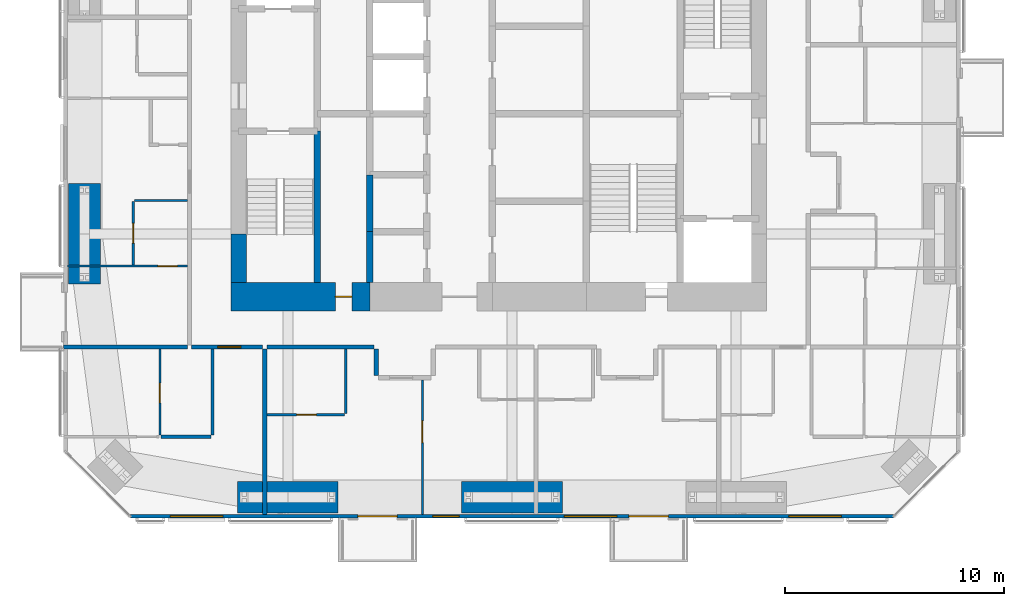
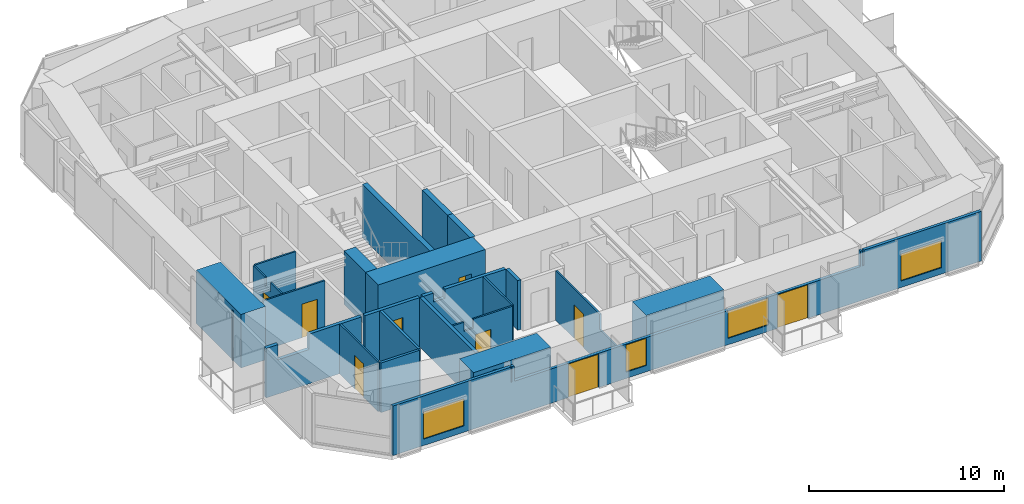
# One storey, part 15 of 23: 23 walls, 9 doors, 4 windows, 13 openings.
"""IFC4 building model written with IfcOpenShell, lengths in metres."""

import ifcopenshell
import ifcopenshell.guid

model = None  # the IFC model being written
_history = None  # IfcOwnerHistory: only IFC2X3 demands one
_inside = {}  # id of a spatial element -> (the spatial element, [elements in it])
_under = {}  # id of a project, library or spatial element -> (it, [spatial elements below it])
_declared = {}  # id of a project -> (the project, [libraries it declares])
_typed = {}  # id of a type object -> (the type object, [elements of that type])
_made_of = {}  # id of a material, layer set ... -> (it, [elements and type objects made of it])


def new_model(schema):
    """Start an empty IFC model of exactly this schema.

    Asked for "IFC4X3", IfcOpenShell would pick the latest addendum, in which some entities
    have other attributes; the version numbers below select the first issue.
    IFC2X3 requires an IfcOwnerHistory on every rooted entity: one is made here for all.
    """
    global model, _history
    if schema == "IFC4X3":
        model = ifcopenshell.file(schema_version=(4, 3, 0, 0))
    else:
        model = ifcopenshell.file(schema=schema)
    _inside.clear()
    _under.clear()
    _declared.clear()
    _typed.clear()
    _made_of.clear()
    _history = None
    if model.schema == "IFC2X3":
        org = make("IfcOrganization", Name="unknown")
        user = make(
            "IfcPersonAndOrganization",
            ThePerson=make("IfcPerson", FamilyName="unknown"),
            TheOrganization=org,
        )
        app = make(
            "IfcApplication",
            ApplicationDeveloper=org,
            Version="unknown",
            ApplicationFullName="unknown",
            ApplicationIdentifier="unknown",
        )
        _history = make(
            "IfcOwnerHistory",
            OwningUser=user,
            OwningApplication=app,
            ChangeAction="ADDED",
            CreationDate=0,
        )
    return model


def make(cls, **values):
    """One entity of the class cls with the attributes given. An attribute that is None is left unset."""
    return model.create_entity(
        cls, **{name: value for name, value in values.items() if value is not None}
    )


def rooted(cls, **values):
    """An entity with a GlobalId (a new one), such as an element, a storey or a relation."""
    return make(cls, GlobalId=ifcopenshell.guid.new(), OwnerHistory=_history, **values)


def si_unit(unit_type, name, prefix=None):
    """IfcSIUnit, for example si_unit("LENGTHUNIT", "METRE", prefix="MILLI")."""
    return make("IfcSIUnit", UnitType=unit_type, Prefix=prefix, Name=name)


def assignment(units):
    """IfcUnitAssignment: the units of a project."""
    return None if units is None else make("IfcUnitAssignment", Units=units)


def point(xyz):
    """IfcCartesianPoint."""
    return None if xyz is None else make("IfcCartesianPoint", Coordinates=xyz)


def direction(xyz):
    """IfcDirection."""
    return None if xyz is None else make("IfcDirection", DirectionRatios=xyz)


def frame(location, z_axis=None, x_axis=None):
    """IfcAxis2Placement3D, a coordinate frame: its origin and axes. An axis left out is left unset."""
    return make(
        "IfcAxis2Placement3D",
        Location=point(location),
        Axis=direction(z_axis),
        RefDirection=direction(x_axis),
    )


def frame_2d(location, x_axis=None):
    """IfcAxis2Placement2D, a coordinate frame in the plane: its origin and x axis."""
    return make(
        "IfcAxis2Placement2D", Location=point(location), RefDirection=direction(x_axis)
    )


def origin():
    """The frame at (0, 0, 0) with its axes left unset."""
    return frame((0.0, 0.0, 0.0))


def place(relative_to, where):
    """IfcLocalPlacement: puts the frame where relative to a parent placement (None: the world)."""
    return make(
        "IfcLocalPlacement", PlacementRelTo=relative_to, RelativePlacement=where
    )


def context(
    kind, dimensions, precision=None, world=None, true_north=None, identifier=None
):
    """IfcGeometricRepresentationContext, for example the 3D "Model" context."""
    return make(
        "IfcGeometricRepresentationContext",
        ContextIdentifier=identifier,
        ContextType=kind,
        CoordinateSpaceDimension=dimensions,
        Precision=precision,
        WorldCoordinateSystem=world,
        TrueNorth=true_north,
    )


def subcontext(parent, identifier, kind, view, scale=None):
    """IfcGeometricRepresentationSubContext, for example "Body" below "Model"."""
    return make(
        "IfcGeometricRepresentationSubContext",
        ContextIdentifier=identifier,
        ContextType=kind,
        ParentContext=parent,
        TargetScale=scale,
        TargetView=view,
    )


def project(units=None, contexts=None):
    """IfcProject with its units and contexts."""
    return rooted(
        "IfcProject",
        Name="project",
        RepresentationContexts=contexts,
        UnitsInContext=assignment(units),
    )


def spatial(cls, under=None, at=None, **own):
    """A site, building, storey or space (cls), placed at a placement, below another one or the project."""
    s = rooted(cls, ObjectPlacement=at, **own)
    if under is not None:
        _under.setdefault(under.id(), (under, []))[1].append(s)
    return s


def polyline(points):
    """IfcPolyline through the points."""
    return make("IfcPolyline", Points=[point(p) for p in points])


def profile(cls, at=None, kind="AREA", **sizes):
    """A parametric profile (cls). Its sizes go by their IFC names, for example OverallWidth=200.0."""
    return make(cls, ProfileType=kind, Position=at, **sizes)


def rectangle(**sizes):
    """IfcRectangleProfileDef."""
    return profile("IfcRectangleProfileDef", **sizes)


def outline(outer, holes=None, kind="AREA"):
    """IfcArbitraryClosedProfileDef: a profile drawn as a closed curve; with holes, ...WithVoids."""
    if holes is None:
        return make("IfcArbitraryClosedProfileDef", ProfileType=kind, OuterCurve=outer)
    return make(
        "IfcArbitraryProfileDefWithVoids",
        ProfileType=kind,
        OuterCurve=outer,
        InnerCurves=holes,
    )


def extrude(swept, where, along, depth):
    """IfcExtrudedAreaSolid: the profile swept, set in the frame where, extruded along a direction by depth."""
    return make(
        "IfcExtrudedAreaSolid",
        SweptArea=swept,
        Position=where,
        ExtrudedDirection=direction(along),
        Depth=depth,
    )


def shape(context_of_items, identifier, shape_type, items):
    """IfcShapeRepresentation: the items that make up one representation, for example the "Body"."""
    return make(
        "IfcShapeRepresentation",
        ContextOfItems=context_of_items,
        RepresentationIdentifier=identifier,
        RepresentationType=shape_type,
        Items=items,
    )


def material(Name=None, Category=None):
    """IfcMaterial."""
    return make("IfcMaterial", Name=Name, Category=Category)


def layer(
    of_material, thickness, ventilated=None, Name=None, Category=None, Priority=None
):
    """IfcMaterialLayer: one layer of a wall or slab, of a material (None: an air gap)."""
    return make(
        "IfcMaterialLayer",
        Material=of_material,
        LayerThickness=thickness,
        IsVentilated=ventilated,
        Name=Name,
        Category=Category,
        Priority=Priority,
    )


def layer_set(layers, Name=None):
    """IfcMaterialLayerSet."""
    return make("IfcMaterialLayerSet", MaterialLayers=layers, LayerSetName=Name)


def constituent(of_material, Name=None, Category=None, fraction=None):
    """IfcMaterialConstituent: one of the materials an element consists of."""
    return make(
        "IfcMaterialConstituent",
        Name=Name,
        Material=of_material,
        Fraction=fraction,
        Category=Category,
    )


def constituent_set(constituents=None, Name=None):
    """IfcMaterialConstituentSet."""
    return make(
        "IfcMaterialConstituentSet", Name=Name, MaterialConstituents=constituents
    )


def made_of(thing, what):
    """Note that an element or type object is made of a material, layer set ...; save() writes the relation."""
    if what is not None:
        _made_of.setdefault(what.id(), (what, []))[1].append(thing)
    return thing


def type_object(cls, material=None, **own):
    """A type object (cls), such as IfcWallType, which elements share."""
    return made_of(rooted(cls, **own), material)


def element(
    cls,
    number,
    at=None,
    inside=None,
    cuts=None,
    type_object=None,
    material=None,
    context=None,
    identifier="Body",
    shape_type=None,
    held_by="IfcProductDefinitionShape",
    body=None,
    shapes=None,
    **own,
):
    """One element of the class cls, such as IfcWall. Its Tag is "e" and its number.

    at: its placement. inside: the storey or other place that contains it. cuts: it is an
    opening in that element (IfcRelVoidsElement). A single representation is given by context,
    identifier, shape_type and body (its items); several are given by shapes. held_by: the class
    of the entity that holds the representations. save() writes the other relations.
    """
    e = rooted(cls, Tag="e%d" % number, ObjectPlacement=at, **own)
    if body is not None:
        shapes = [shape(context, identifier, shape_type, body)]
    if shapes is not None:
        e.Representation = make(held_by, Representations=shapes)
    if inside is not None:
        _inside.setdefault(inside.id(), (inside, []))[1].append(e)
    if cuts is not None:
        rooted(
            "IfcRelVoidsElement", RelatingBuildingElement=cuts, RelatedOpeningElement=e
        )
    if type_object is not None:
        _typed.setdefault(type_object.id(), (type_object, []))[1].append(e)
    return made_of(e, material)


def fill(opening, filler):
    """IfcRelFillsElement: the door or window that sits in an opening."""
    return rooted(
        "IfcRelFillsElement",
        RelatingOpeningElement=opening,
        RelatedBuildingElement=filler,
    )


def aggregate(whole, parts):
    """IfcRelAggregates: a whole, such as a stair, and the parts it consists of."""
    return rooted("IfcRelAggregates", RelatingObject=whole, RelatedObjects=parts)


def save(model, path):
    """Write the relations noted so far, then the file.

    IfcRelAggregates (storeys below a building ...), IfcRelContainedInSpatialStructure (elements
    in a storey), IfcRelDefinesByType, IfcRelAssociatesMaterial and IfcRelDeclares: one each for
    every whole, place, type object, material and project.
    """
    for whole, parts in _under.values():
        aggregate(whole, parts)
    for where, things in _inside.values():
        rooted(
            "IfcRelContainedInSpatialStructure",
            RelatedElements=things,
            RelatingStructure=where,
        )
    for kind, things in _typed.values():
        rooted("IfcRelDefinesByType", RelatedObjects=things, RelatingType=kind)
    for what, things in _made_of.values():
        rooted("IfcRelAssociatesMaterial", RelatedObjects=things, RelatingMaterial=what)
    for by, libraries in _declared.values():
        rooted("IfcRelDeclares", RelatingContext=by, RelatedDefinitions=libraries)
    model.write(path)


model = new_model("IFC4")

# Units and contexts
model_context = context("Model", 3, precision=1e-05, world=origin(), true_north=direction((0.0, 1.0)))
body_context = subcontext(model_context, "Body", "Model", "MODEL_VIEW")
ifc_project = project(units=[si_unit("LENGTHUNIT", "METRE"), si_unit("AREAUNIT", "SQUARE_METRE"), si_unit("VOLUMEUNIT", "CUBIC_METRE"), si_unit("PLANEANGLEUNIT", "RADIAN"), si_unit("MASSUNIT", "GRAM", prefix="KILO")], contexts=[model_context])

# Site, building, storey
site_placement = place(None, origin())
site = spatial("IfcSite", under=ifc_project, at=site_placement, CompositionType="ELEMENT")
building_placement = place(site_placement, origin())
building = spatial("IfcBuilding", under=site, at=building_placement, Name="Jalousie Tower", CompositionType="ELEMENT")
storey_placement = place(building_placement, frame((0.0, 0.0, 171.10009765625)))
storey = spatial("IfcBuildingStorey", under=building, at=storey_placement, Name="L46", CompositionType="ELEMENT", Elevation=171.10009765625)

# Walls
ifc_material_1 = material(Name="Concrete block ASTM C90", Category="concrete")
ifc_constituent_1 = constituent(ifc_material_1, Name="Body")
ifc_material_2 = material(Name="Render")
ifc_constituent_2 = constituent(ifc_material_2, Name="Finish")
ifc_constituent_set_1 = constituent_set(constituents=[ifc_constituent_1, ifc_constituent_2])
wall_type_1 = type_object("IfcWallType", Name="BATHROOM WALL 150", PredefinedType="PLUMBINGWALL", material=ifc_constituent_set_1)
wall_1_placement = place(storey_placement, frame((18.72509765625, 3.72119140625, 0.0), z_axis=(0.0, 0.0, 1.0), x_axis=(-1.0, 0.0, 0.0)))
element("IfcWall", 1, at=wall_1_placement, inside=storey, type_object=wall_type_1, Name="Bathroom Wall 150 L46", PredefinedType="PLUMBINGWALL", context=body_context, shape_type="SweptSolid", body=[
    extrude(rectangle(XDim=2.275146484375, YDim=0.14990234375, at=frame_2d((1.1376953125, 0.0))), origin(), (0.0, 0.0, 1.0), 3.10986328125),
])
wall_2_placement = place(storey_placement, frame((18.800048828125, 3.79638671875, 0.0), z_axis=(0.0, 0.0, 1.0), x_axis=(0.0, 1.0, 0.0)))
element("IfcWall", 2, at=wall_2_placement, inside=storey, type_object=wall_type_1, Name="Bathroom Wall 150 L46", PredefinedType="PLUMBINGWALL", context=body_context, shape_type="SweptSolid", body=[
    extrude(rectangle(XDim=3.9287109375, YDim=0.14990234375, at=frame_2d((1.96435546875, 0.0))), origin(), (0.0, 0.0, 1.0), 3.10986328125),
])

# Wall, opening, door
ifc_material_3 = material(Name="Concrete f'c 120 MPa", Category="concrete")
ifc_layer_1 = layer(ifc_material_3, 1.300048828125)
ifc_layer_set_1 = layer_set([ifc_layer_1], Name="Concrete f'c 120 MPa")
wall_type_2 = type_object("IfcWallType", Name="CORE WALL 1300", PredefinedType="SHEAR", material=ifc_layer_set_1)
wall_3_placement = place(storey_placement, frame((19.64990234375, 10.125, 0.0), z_axis=(0.0, 0.0, 1.0), x_axis=(1.0, 0.0, 0.0)))
wall_3 = element("IfcWall", 3, at=wall_3_placement, inside=storey, type_object=wall_type_2, Name="Core wall SA L46", PredefinedType="SHEAR", context=body_context, shape_type="SweptSolid", body=[
    extrude(rectangle(XDim=6.35009765625, YDim=1.300048828125, at=frame_2d((3.175048828125, 0.0))), origin(), (0.0, 0.0, 1.0), 3.349853515625),
])
opening_1_placement = place(wall_3_placement, frame((4.77490234375, 0.0, 0.0)))
opening_1 = element("IfcOpeningElement", 4, at=opening_1_placement, cuts=wall_3, Name="Opening D16", PredefinedType="OPENING", context=body_context, shape_type="SweptSolid", body=[
    extrude(rectangle(XDim=0.75, YDim=2.10009765625, at=frame_2d((0.375, 1.050048828125))), frame((0.0, 0.659912109375, 0.0), z_axis=(0.0, -1.0, 0.0), x_axis=(1.0, 0.0, 0.0)), (0.0, 0.0, 1.0), 1.320068359375),
])
ifc_material_4 = material(Name="Steel fire door", Category="steel")
door_type_1 = type_object("IfcDoorType", Name="RISER DOOR 750", OperationType="SINGLE_SWING_LEFT", PredefinedType="DOOR", material=ifc_material_4)
door_1_placement = place(opening_1_placement, origin())
door_1 = element("IfcDoor", 5, at=door_1_placement, inside=storey, type_object=door_type_1, Name="South riser door", OperationType="SINGLE_SWING_LEFT", OverallHeight=2.10009765625, OverallWidth=0.75, PredefinedType="DOOR", context=body_context, shape_type="SweptSolid", body=[
    extrude(rectangle(XDim=0.75, YDim=2.10009765625, at=frame_2d((0.375, 1.050048828125))), frame((0.0, 0.02490234375, 0.0), z_axis=(0.0, -1.0, 0.0), x_axis=(1.0, 0.0, 0.0)), (0.0, 0.0, 1.0), 0.050048828125),
])
fill(opening_1, door_1)

# Walls
ifc_material_5 = material(Name="Concrete f'c 120 MPa", Category="concrete")
ifc_layer_2 = layer(ifc_material_5, 0.300048828125)
ifc_layer_set_2 = layer_set([ifc_layer_2], Name="Concrete f'c 120 MPa")
wall_type_3 = type_object("IfcWallType", Name="CORE WALL 300", PredefinedType="SHEAR", material=ifc_layer_set_2)
wall_4_placement = place(storey_placement, frame((23.60009765625, 10.77490234375, 0.0), z_axis=(0.0, 0.0, 1.0), x_axis=(0.0, 1.0, 0.0)))
element("IfcWall", 6, at=wall_4_placement, inside=storey, type_object=wall_type_3, Name="Core wall X23.6A L46", PredefinedType="SHEAR", context=body_context, shape_type="SweptSolid", body=[
    extrude(rectangle(XDim=6.925048828125, YDim=0.300048828125, at=frame_2d((3.46240234375, 0.0))), origin(), (0.0, 0.0, 1.0), 3.349853515625),
])
wall_5_placement = place(storey_placement, frame((26.0, 10.77490234375, 0.0), z_axis=(0.0, 0.0, 1.0), x_axis=(0.0, 1.0, 0.0)))
element("IfcWall", 7, at=wall_5_placement, inside=storey, type_object=wall_type_3, Name="Core wall X26A L46", PredefinedType="SHEAR", context=body_context, shape_type="SweptSolid", body=[
    extrude(rectangle(XDim=2.3251953125, YDim=0.300048828125, at=frame_2d((1.16259765625, 0.0))), origin(), (0.0, 0.0, 1.0), 3.349853515625),
])
wall_6_placement = place(storey_placement, frame((26.0, 13.10009765625, 0.0), z_axis=(0.0, 0.0, 1.0), x_axis=(0.0, 1.0, 0.0)))
element("IfcWall", 8, at=wall_6_placement, inside=storey, type_object=wall_type_3, Name="Core wall X26B L46", PredefinedType="SHEAR", context=body_context, shape_type="SweptSolid", body=[
    extrude(rectangle(XDim=2.599853515625, YDim=0.300048828125, at=frame_2d((1.2998046875, 0.0))), origin(), (0.0, 0.0, 1.0), 3.349853515625),
])
ifc_material_6 = material(Name="Concrete f'c 120 MPa", Category="concrete")
ifc_layer_3 = layer(ifc_material_6, 0.699951171875)
ifc_layer_set_3 = layer_set([ifc_layer_3], Name="Concrete f'c 120 MPa")
wall_type_4 = type_object("IfcWallType", Name="CORE WALL 700", PredefinedType="SHEAR", material=ifc_layer_set_3)
wall_7_placement = place(storey_placement, frame((20.0, 13.0, 0.0), z_axis=(0.0, 0.0, 1.0), x_axis=(0.0, -1.0, 0.0)))
element("IfcWall", 9, at=wall_7_placement, inside=storey, type_object=wall_type_4, Name="Core wall WD L46", PredefinedType="SHEAR", context=body_context, shape_type="SweptSolid", body=[
    extrude(rectangle(XDim=2.22509765625, YDim=0.699951171875, at=frame_2d((1.112548828125, 0.0))), origin(), (0.0, 0.0, 1.0), 3.349853515625),
])

# Wall, opening, door
ifc_material_7 = material(Name="Concrete block ASTM C90", Category="concrete")
ifc_constituent_3 = constituent(ifc_material_7, Name="Body")
ifc_material_8 = material(Name="Render")
ifc_constituent_4 = constituent(ifc_material_8, Name="Finish")
ifc_constituent_set_2 = constituent_set(constituents=[ifc_constituent_3, ifc_constituent_4])
wall_type_5 = type_object("IfcWallType", Name="CORRIDOR WALL 200", PredefinedType="PARTITIONING", material=ifc_constituent_set_2)
wall_8_placement = place(storey_placement, frame((17.85009765625, 7.824951171875, 0.0), z_axis=(0.0, 0.0, 1.0), x_axis=(1.0, 0.0, 0.0)))
wall_8 = element("IfcWall", 10, at=wall_8_placement, inside=storey, type_object=wall_type_5, Name="Corridor Wall 200 L46", PredefinedType="PARTITIONING", context=body_context, shape_type="SweptSolid", body=[
    extrude(rectangle(XDim=3.25, YDim=0.199951171875, at=frame_2d((1.625, 0.0))), origin(), (0.0, 0.0, 1.0), 3.10986328125),
])
opening_2_placement = place(wall_8_placement, frame((1.199951171875, 0.0, 0.0)))
opening_2 = element("IfcOpeningElement", 11, at=opening_2_placement, cuts=wall_8, Name="Opening D1", PredefinedType="OPENING", context=body_context, shape_type="SweptSolid", body=[
    extrude(rectangle(XDim=1.050048828125, YDim=2.199951171875, at=frame_2d((0.52490234375, 1.10009765625))), frame((0.0, 0.10986328125, 0.0), z_axis=(0.0, -1.0, 0.0), x_axis=(1.0, 0.0, 0.0)), (0.0, 0.0, 1.0), 0.219970703125),
])
ifc_material_9 = material(Name="Timber fire door", Category="wood")
door_type_2 = type_object("IfcDoorType", Name="APARTMENT ENTRANCE DOOR 1050", OperationType="SINGLE_SWING_LEFT", PredefinedType="DOOR", material=ifc_material_9)
door_2_placement = place(opening_2_placement, frame((1.050048828125, 0.0, 0.0), z_axis=(0.0, 0.0, 1.0), x_axis=(-1.0, 0.0, 0.0)))
door_2 = element("IfcDoor", 12, at=door_2_placement, inside=storey, type_object=door_type_2, Name="Apartment 4601 entrance", OperationType="SINGLE_SWING_RIGHT", OverallHeight=2.199951171875, OverallWidth=1.050048828125, PredefinedType="DOOR", context=body_context, shape_type="SweptSolid", body=[
    extrude(rectangle(XDim=1.050048828125, YDim=2.199951171875, at=frame_2d((0.52490234375, 1.10009765625))), frame((0.0, 0.02490234375, 0.0), z_axis=(0.0, -1.0, 0.0), x_axis=(1.0, 0.0, 0.0)), (0.0, 0.0, 1.0), 0.050048828125),
])
fill(opening_2, door_2)

# Walls
wall_9_placement = place(storey_placement, frame((21.300048828125, 7.824951171875, 0.0), z_axis=(0.0, 0.0, 1.0), x_axis=(1.0, 0.0, 0.0)))
element("IfcWall", 13, at=wall_9_placement, inside=storey, type_object=wall_type_5, Name="Corridor Wall 200 L46", PredefinedType="PARTITIONING", context=body_context, shape_type="SweptSolid", body=[
    extrude(outline(polyline([(0.0, 0.0), (4.89990234375, 0.0), (4.89990234375, 3.10986328125), (1.287353515625, 3.10986328125), (1.287353515625, 2.541015625), (0.612548828125, 2.541015625), (0.612548828125, 3.10986328125), (0.0, 3.10986328125), (0.0, 0.0)])), frame((0.0, 0.10009765625, 0.0), z_axis=(0.0, -1.0, 0.0), x_axis=(1.0, 0.0, 0.0)), (0.0, 0.0, 1.0), 0.199951171875),
])
wall_10_placement = place(storey_placement, frame((26.300048828125, 7.72509765625, 0.0), z_axis=(0.0, 0.0, 1.0), x_axis=(0.0, -1.0, 0.0)))
element("IfcWall", 14, at=wall_10_placement, inside=storey, type_object=wall_type_5, Name="Corridor Wall 200 L46", PredefinedType="PARTITIONING", context=body_context, shape_type="SweptSolid", body=[
    extrude(rectangle(XDim=1.2001953125, YDim=0.199951171875, at=frame_2d((0.60009765625, 0.0))), origin(), (0.0, 0.0, 1.0), 3.10986328125),
])

# Wall, openings, doors, windows
ifc_material_10 = material(Name="Concrete f'c 40 MPa", Category="concrete")
ifc_constituent_5 = constituent(ifc_material_10, Name="Body")
ifc_material_11 = material(Name="Render, pastel lemon")
ifc_constituent_6 = constituent(ifc_material_11, Name="Finish")
ifc_constituent_set_3 = constituent_set(constituents=[ifc_constituent_5, ifc_constituent_6])
wall_type_6 = type_object("IfcWallType", Name="EXTERNAL WALL 175 LEMON RENDER", PredefinedType="SOLIDWALL", material=ifc_constituent_set_3)
wall_11_placement = place(storey_placement, frame((15.05126953125, 0.08740234375, 0.0), z_axis=(0.0, 0.0, 1.0), x_axis=(1.0, 0.0, 0.0)))
wall_11 = element("IfcWall", 15, at=wall_11_placement, inside=storey, type_object=wall_type_6, Name="External Wall 175 Lemon Render L46", PredefinedType="SOLIDWALL", context=body_context, shape_type="SweptSolid", body=[
    extrude(outline(polyline([(0.0, 0.0), (34.8974609375, 0.0), (34.8974609375, 3.10986328125), (27.91015625, 3.10986328125), (27.91015625, 2.14990234375), (27.8359375, 2.14990234375), (27.8359375, 3.10986328125), (27.69873046875, 3.10986328125), (27.69873046875, 2.14990234375), (7.19873046875, 2.14990234375), (7.19873046875, 3.10986328125), (7.0615234375, 3.10986328125), (7.0615234375, 2.14990234375), (6.9873046875, 2.14990234375), (6.9873046875, 3.10986328125), (0.0, 3.10986328125), (0.0, 0.0)])), frame((0.0, 0.08740234375, 0.0), z_axis=(0.0, -1.0, 0.0), x_axis=(1.0, 0.0, 0.0)), (0.0, 0.0, 1.0), 0.175048828125),
])
opening_3_placement = place(wall_11_placement, frame((1.824462890625, 0.0, 0.39990234375)))
opening_3 = element("IfcOpeningElement", 16, at=opening_3_placement, cuts=wall_11, Name="Opening W-LIV170", PredefinedType="OPENING", context=body_context, shape_type="SweptSolid", body=[
    extrude(rectangle(XDim=2.39990234375, YDim=1.699951171875, at=frame_2d((1.199951171875, 0.85009765625))), frame((0.0, 0.097412109375, 0.0), z_axis=(0.0, -1.0, 0.0), x_axis=(1.0, 0.0, 0.0)), (0.0, 0.0, 1.0), 0.195068359375),
])
opening_4_placement = place(wall_11_placement, frame((10.398681640625, 0.0, 0.0)))
opening_4 = element("IfcOpeningElement", 17, at=opening_4_placement, cuts=wall_11, Name="Opening D-BAL21", PredefinedType="OPENING", context=body_context, shape_type="SweptSolid", body=[
    extrude(rectangle(XDim=1.800048828125, YDim=2.10009765625, at=frame_2d((0.89990234375, 1.050048828125))), frame((0.0, 0.097412109375, 0.0), z_axis=(0.0, -1.0, 0.0), x_axis=(1.0, 0.0, 0.0)), (0.0, 0.0, 1.0), 0.195068359375),
])
opening_5_placement = place(wall_11_placement, frame((13.827392578125, 0.0, 0.39990234375)))
opening_5 = element("IfcOpeningElement", 18, at=opening_5_placement, cuts=wall_11, Name="Opening W-COR170", PredefinedType="OPENING", context=body_context, shape_type="SweptSolid", body=[
    extrude(rectangle(XDim=1.199951171875, YDim=1.699951171875, at=frame_2d((0.60009765625, 0.85009765625))), frame((0.0, 0.097412109375, 0.0), z_axis=(0.0, -1.0, 0.0), x_axis=(1.0, 0.0, 0.0)), (0.0, 0.0, 1.0), 0.195068359375),
])
opening_6_placement = place(wall_11_placement, frame((22.798583984375, 0.0, 0.0)))
opening_6 = element("IfcOpeningElement", 19, at=opening_6_placement, cuts=wall_11, Name="Opening D-BAL21", PredefinedType="OPENING", context=body_context, shape_type="SweptSolid", body=[
    extrude(rectangle(XDim=1.800048828125, YDim=2.10009765625, at=frame_2d((0.89990234375, 1.050048828125))), frame((0.0, 0.097412109375, 0.0), z_axis=(0.0, -1.0, 0.0), x_axis=(1.0, 0.0, 0.0)), (0.0, 0.0, 1.0), 0.195068359375),
])
opening_7_placement = place(wall_11_placement, frame((19.8486328125, 0.0, 0.39990234375)))
opening_7 = element("IfcOpeningElement", 20, at=opening_7_placement, cuts=wall_11, Name="Opening W-LIV170", PredefinedType="OPENING", context=body_context, shape_type="SweptSolid", body=[
    extrude(rectangle(XDim=2.39990234375, YDim=1.699951171875, at=frame_2d((1.199951171875, 0.85009765625))), frame((0.0, 0.097412109375, 0.0), z_axis=(0.0, -1.0, 0.0), x_axis=(1.0, 0.0, 0.0)), (0.0, 0.0, 1.0), 0.195068359375),
])
opening_8_placement = place(wall_11_placement, frame((30.10791015625, 0.0, 0.39990234375)))
opening_8 = element("IfcOpeningElement", 21, at=opening_8_placement, cuts=wall_11, Name="Opening W-LIV170", PredefinedType="OPENING", context=body_context, shape_type="SweptSolid", body=[
    extrude(rectangle(XDim=2.39990234375, YDim=1.699951171875, at=frame_2d((1.199951171875, 0.85009765625))), frame((0.0, 0.097412109375, 0.0), z_axis=(0.0, -1.0, 0.0), x_axis=(1.0, 0.0, 0.0)), (0.0, 0.0, 1.0), 0.195068359375),
])
ifc_material_12 = material(Name="Aluminium frame, impact-rated glazing", Category="aluminium")
door_type_3 = type_object("IfcDoorType", Name="BALCONY DOOR 1800x2100", OperationType="SLIDING_TO_LEFT", PredefinedType="DOOR", material=ifc_material_12)
door_3_placement = place(opening_4_placement, origin())
door_3 = element("IfcDoor", 22, at=door_3_placement, inside=storey, type_object=door_type_3, Name="Apartment 4602 studio living and sleeping room balcony door", OperationType="SLIDING_TO_LEFT", OverallHeight=2.10009765625, OverallWidth=1.800048828125, PredefinedType="DOOR", context=body_context, shape_type="SweptSolid", body=[
    extrude(rectangle(XDim=1.800048828125, YDim=2.10009765625, at=frame_2d((0.89990234375, 1.050048828125))), frame((0.0, 0.02490234375, 0.0), z_axis=(0.0, -1.0, 0.0), x_axis=(1.0, 0.0, 0.0)), (0.0, 0.0, 1.0), 0.050048828125),
])
fill(opening_4, door_3)
door_4_placement = place(opening_6_placement, origin())
door_4 = element("IfcDoor", 23, at=door_4_placement, inside=storey, type_object=door_type_3, Name="Apartment 4603 studio living and sleeping room balcony door", OperationType="SLIDING_TO_LEFT", OverallHeight=2.10009765625, OverallWidth=1.800048828125, PredefinedType="DOOR", context=body_context, shape_type="SweptSolid", body=[
    extrude(rectangle(XDim=1.800048828125, YDim=2.10009765625, at=frame_2d((0.89990234375, 1.050048828125))), frame((0.0, 0.02490234375, 0.0), z_axis=(0.0, -1.0, 0.0), x_axis=(1.0, 0.0, 0.0)), (0.0, 0.0, 1.0), 0.050048828125),
])
fill(opening_6, door_4)
ifc_material_13 = material(Name="Aluminium frame, impact-rated glazing", Category="aluminium")
window_type_1 = type_object("IfcWindowType", Name="WINDOW COR 1200x1700", PartitioningType="SINGLE_PANEL", PredefinedType="WINDOW", material=ifc_material_13)
window_1_placement = place(opening_5_placement, origin())
window_1 = element("IfcWindow", 24, at=window_1_placement, inside=storey, type_object=window_type_1, Name="Apartment 4602 dining room window", OverallHeight=1.699951171875, OverallWidth=1.199951171875, PartitioningType="SINGLE_PANEL", PredefinedType="WINDOW", context=body_context, shape_type="SweptSolid", body=[
    extrude(rectangle(XDim=1.199951171875, YDim=1.699951171875, at=frame_2d((0.60009765625, 0.85009765625))), frame((0.0, 0.030029296875, 0.0), z_axis=(0.0, -1.0, 0.0), x_axis=(1.0, 0.0, 0.0)), (0.0, 0.0, 1.0), 0.06005859375),
])
fill(opening_5, window_1)
ifc_material_14 = material(Name="Aluminium frame, impact-rated glazing", Category="aluminium")
window_type_2 = type_object("IfcWindowType", Name="WINDOW LIV 2400x1700", PartitioningType="DOUBLE_PANEL_VERTICAL", PredefinedType="WINDOW", material=ifc_material_14)
window_2_placement = place(opening_3_placement, origin())
window_2 = element("IfcWindow", 25, at=window_2_placement, inside=storey, type_object=window_type_2, Name="Apartment 4601 living, dining and kitchen window", OverallHeight=1.699951171875, OverallWidth=2.39990234375, PartitioningType="SINGLE_PANEL", PredefinedType="WINDOW", context=body_context, shape_type="SweptSolid", body=[
    extrude(rectangle(XDim=2.39990234375, YDim=1.699951171875, at=frame_2d((1.199951171875, 0.85009765625))), frame((0.0, 0.030029296875, 0.0), z_axis=(0.0, -1.0, 0.0), x_axis=(1.0, 0.0, 0.0)), (0.0, 0.0, 1.0), 0.06005859375),
])
fill(opening_3, window_2)
window_3_placement = place(opening_7_placement, origin())
window_3 = element("IfcWindow", 26, at=window_3_placement, inside=storey, type_object=window_type_2, Name="Apartment 4603 studio living and sleeping room window", OverallHeight=1.699951171875, OverallWidth=2.39990234375, PartitioningType="SINGLE_PANEL", PredefinedType="WINDOW", context=body_context, shape_type="SweptSolid", body=[
    extrude(rectangle(XDim=2.39990234375, YDim=1.699951171875, at=frame_2d((1.199951171875, 0.85009765625))), frame((0.0, 0.030029296875, 0.0), z_axis=(0.0, -1.0, 0.0), x_axis=(1.0, 0.0, 0.0)), (0.0, 0.0, 1.0), 0.06005859375),
])
fill(opening_7, window_3)
window_4_placement = place(opening_8_placement, origin())
window_4 = element("IfcWindow", 27, at=window_4_placement, inside=storey, type_object=window_type_2, Name="Apartment 4604 living and dining room window", OverallHeight=1.699951171875, OverallWidth=2.39990234375, PartitioningType="SINGLE_PANEL", PredefinedType="WINDOW", context=body_context, shape_type="SweptSolid", body=[
    extrude(rectangle(XDim=2.39990234375, YDim=1.699951171875, at=frame_2d((1.199951171875, 0.85009765625))), frame((0.0, 0.030029296875, 0.0), z_axis=(0.0, -1.0, 0.0), x_axis=(1.0, 0.0, 0.0)), (0.0, 0.0, 1.0), 0.06005859375),
])
fill(opening_8, window_4)

# Wall, opening, door
ifc_material_15 = material(Name="Gypsum board", Category="gypsum")
ifc_constituent_7 = constituent(ifc_material_15, Name="Body")
ifc_material_16 = material(Name="Light-gauge steel studs ASTM A653 SS Grade 33", Category="steel")
ifc_constituent_8 = constituent(ifc_material_16, Name="Framing")
ifc_constituent_set_4 = constituent_set(constituents=[ifc_constituent_7, ifc_constituent_8])
wall_type_7 = type_object("IfcWallType", Name="PARTITION 100", PredefinedType="PARTITIONING", material=ifc_constituent_set_4)
wall_12_placement = place(storey_placement, frame((16.39990234375, 3.79638671875, 0.0), z_axis=(0.0, 0.0, 1.0), x_axis=(0.0, 1.0, 0.0)))
wall_12 = element("IfcWall", 28, at=wall_12_placement, inside=storey, type_object=wall_type_7, Name="Partition 100 L46", PredefinedType="PARTITIONING", context=body_context, shape_type="SweptSolid", body=[
    extrude(rectangle(XDim=3.9287109375, YDim=0.10009765625, at=frame_2d((1.96435546875, 0.0))), origin(), (0.0, 0.0, 1.0), 3.10986328125),
])
opening_9_placement = place(wall_12_placement, frame((1.476806640625, 0.0, 0.0)))
opening_9 = element("IfcOpeningElement", 29, at=opening_9_placement, cuts=wall_12, Name="Opening D3", PredefinedType="OPENING", context=body_context, shape_type="SweptSolid", body=[
    extrude(rectangle(XDim=0.89990234375, YDim=2.10009765625, at=frame_2d((0.449951171875, 1.050048828125))), frame((0.0, 0.06005859375, 0.0), z_axis=(0.0, -1.0, 0.0), x_axis=(1.0, 0.0, 0.0)), (0.0, 0.0, 1.0), 0.1201171875),
])
ifc_material_17 = material(Name="Timber door", Category="wood")
door_type_4 = type_object("IfcDoorType", Name="BATHROOM DOOR 900", OperationType="SINGLE_SWING_LEFT", PredefinedType="DOOR", material=ifc_material_17)
door_5_placement = place(opening_9_placement, frame((0.89990234375, 0.0, 0.0), z_axis=(0.0, 0.0, 1.0), x_axis=(-1.0, 0.0, 0.0)))
door_5 = element("IfcDoor", 30, at=door_5_placement, inside=storey, type_object=door_type_4, Name="Apartment 4601 bedroom 1 bathroom door", OperationType="SINGLE_SWING_RIGHT", OverallHeight=2.10009765625, OverallWidth=0.89990234375, PredefinedType="DOOR", context=body_context, shape_type="SweptSolid", body=[
    extrude(rectangle(XDim=0.89990234375, YDim=2.10009765625, at=frame_2d((0.449951171875, 1.050048828125))), frame((0.0, 0.02490234375, 0.0), z_axis=(0.0, -1.0, 0.0), x_axis=(1.0, 0.0, 0.0)), (0.0, 0.0, 1.0), 0.050048828125),
])
fill(opening_9, door_5)

wall_13_placement = place(storey_placement, frame((21.300048828125, 4.72509765625, 0.0), z_axis=(0.0, 0.0, 1.0), x_axis=(1.0, 0.0, 0.0)))
wall_13 = element("IfcWall", 31, at=wall_13_placement, inside=storey, type_object=wall_type_7, Name="Partition 100 L46", PredefinedType="PARTITIONING", context=body_context, shape_type="SweptSolid", body=[
    extrude(outline(polyline([(0.0, 0.0), (3.550048828125, 0.0), (3.550048828125, 3.10986328125), (1.2373046875, 3.10986328125), (1.2373046875, 2.541015625), (0.66259765625, 2.541015625), (0.66259765625, 3.10986328125), (0.0, 3.10986328125), (0.0, 0.0)])), frame((0.0, 0.050048828125, 0.0), z_axis=(0.0, -1.0, 0.0), x_axis=(1.0, 0.0, 0.0)), (0.0, 0.0, 1.0), 0.10009765625),
])
opening_10_placement = place(wall_13_placement, frame((1.35009765625, 0.0, 0.0)))
opening_10 = element("IfcOpeningElement", 32, at=opening_10_placement, cuts=wall_13, Name="Opening D7", PredefinedType="OPENING", context=body_context, shape_type="SweptSolid", body=[
    extrude(rectangle(XDim=0.89990234375, YDim=2.10009765625, at=frame_2d((0.449951171875, 1.050048828125))), frame((0.0, 0.06005859375, 0.0), z_axis=(0.0, -1.0, 0.0), x_axis=(1.0, 0.0, 0.0)), (0.0, 0.0, 1.0), 0.1201171875),
])
ifc_material_18 = material(Name="Timber door", Category="wood")
door_type_5 = type_object("IfcDoorType", Name="INTERNAL DOOR 900", OperationType="SINGLE_SWING_LEFT", PredefinedType="DOOR", material=ifc_material_18)
door_6_placement = place(opening_10_placement, origin())
door_6 = element("IfcDoor", 33, at=door_6_placement, inside=storey, type_object=door_type_5, Name="Apartment 4602 kitchen door", OperationType="SINGLE_SWING_RIGHT", OverallHeight=2.10009765625, OverallWidth=0.89990234375, PredefinedType="DOOR", context=body_context, shape_type="SweptSolid", body=[
    extrude(rectangle(XDim=0.89990234375, YDim=2.10009765625, at=frame_2d((0.449951171875, 1.050048828125))), frame((0.0, 0.02490234375, 0.0), z_axis=(0.0, -1.0, 0.0), x_axis=(1.0, 0.0, 0.0)), (0.0, 0.0, 1.0), 0.050048828125),
])
fill(opening_10, door_6)

# Wall
wall_14_placement = place(storey_placement, frame((24.89990234375, 4.77490234375, 0.0), z_axis=(0.0, 0.0, 1.0), x_axis=(0.0, 1.0, 0.0)))
element("IfcWall", 34, at=wall_14_placement, inside=storey, type_object=wall_type_7, Name="Partition 100 L46", PredefinedType="PARTITIONING", context=body_context, shape_type="SweptSolid", body=[
    extrude(rectangle(XDim=2.9501953125, YDim=0.10009765625, at=frame_2d((1.47509765625, 0.0))), origin(), (0.0, 0.0, 1.0), 3.10986328125),
])

# Wall, opening, door
wall_15_placement = place(storey_placement, frame((28.39990234375, 0.175048828125, 0.0), z_axis=(0.0, 0.0, 1.0), x_axis=(0.0, 1.0, 0.0)))
wall_15 = element("IfcWall", 35, at=wall_15_placement, inside=storey, type_object=wall_type_7, Name="Partition 100 L46", PredefinedType="PARTITIONING", context=body_context, shape_type="SweptSolid", body=[
    extrude(outline(polyline([(0.0, 0.0), (6.14990234375, 0.0), (6.14990234375, 3.10986328125), (1.635009765625, 3.10986328125), (1.635009765625, 2.14990234375), (0.0, 2.14990234375), (0.0, 3.10986328125), (0.0, 0.0)])), frame((0.0, 0.050048828125, 0.0), z_axis=(0.0, -1.0, 0.0), x_axis=(1.0, 0.0, 0.0)), (0.0, 0.0, 1.0), 0.10009765625),
])
opening_11_placement = place(wall_15_placement, frame((3.27490234375, 0.0, 0.0)))
opening_11 = element("IfcOpeningElement", 36, at=opening_11_placement, cuts=wall_15, Name="Opening D6", PredefinedType="OPENING", context=body_context, shape_type="SweptSolid", body=[
    extrude(rectangle(XDim=1.0, YDim=2.10009765625, at=frame_2d((0.5, 1.050048828125))), frame((0.0, 0.06005859375, 0.0), z_axis=(0.0, -1.0, 0.0), x_axis=(1.0, 0.0, 0.0)), (0.0, 0.0, 1.0), 0.1201171875),
])
ifc_material_19 = material(Name="Timber door", Category="wood")
door_type_6 = type_object("IfcDoorType", Name="INTERNAL DOOR 1000", OperationType="SINGLE_SWING_LEFT", PredefinedType="DOOR", material=ifc_material_19)
door_7_placement = place(opening_11_placement, frame((1.0, 0.0, 0.0), z_axis=(0.0, 0.0, 1.0), x_axis=(-1.0, 0.0, 0.0)))
door_7 = element("IfcDoor", 37, at=door_7_placement, inside=storey, type_object=door_type_6, Name="Apartment 4602 dining room door", OperationType="SINGLE_SWING_LEFT", OverallHeight=2.10009765625, OverallWidth=1.0, PredefinedType="DOOR", context=body_context, shape_type="SweptSolid", body=[
    extrude(rectangle(XDim=1.0, YDim=2.10009765625, at=frame_2d((0.5, 1.050048828125))), frame((0.0, 0.02490234375, 0.0), z_axis=(0.0, -1.0, 0.0), x_axis=(1.0, 0.0, 0.0)), (0.0, 0.0, 1.0), 0.050048828125),
])
fill(opening_11, door_7)

wall_16_placement = place(storey_placement, frame((12.175048828125, 11.52490234375, 0.0), z_axis=(0.0, 0.0, 1.0), x_axis=(1.0, 0.0, 0.0)))
wall_16 = element("IfcWall", 38, at=wall_16_placement, inside=storey, type_object=wall_type_7, Name="Partition 100 L46", PredefinedType="PARTITIONING", context=body_context, shape_type="SweptSolid", body=[
    extrude(outline(polyline([(0.101318359375, 3.10986328125), (0.0, 3.10986328125), (0.0, 0.0), (0.52880859375, 0.0), (0.52880859375, 0.26904296875), (1.021240234375, 0.26904296875), (1.021240234375, 0.0), (5.47509765625, 0.0), (5.47509765625, 3.10986328125), (1.8359375, 3.10986328125), (1.8359375, 2.14990234375), (1.021240234375, 2.14990234375), (1.021240234375, 1.880615234375), (0.52880859375, 1.880615234375), (0.52880859375, 2.14990234375), (0.101318359375, 2.14990234375), (0.101318359375, 3.10986328125)])), frame((0.0, 0.050048828125, 0.0), z_axis=(0.0, -1.0, 0.0), x_axis=(1.0, 0.0, 0.0)), (0.0, 0.0, 1.0), 0.10009765625),
])
opening_12_placement = place(wall_16_placement, frame((4.125, 0.0, 0.0)))
opening_12 = element("IfcOpeningElement", 39, at=opening_12_placement, cuts=wall_16, Name="Opening D2", PredefinedType="OPENING", context=body_context, shape_type="SweptSolid", body=[
    extrude(rectangle(XDim=0.89990234375, YDim=2.10009765625, at=frame_2d((0.449951171875, 1.050048828125))), frame((0.0, 0.06005859375, 0.0), z_axis=(0.0, -1.0, 0.0), x_axis=(1.0, 0.0, 0.0)), (0.0, 0.0, 1.0), 0.1201171875),
])
ifc_material_20 = material(Name="Timber door", Category="wood")
door_type_7 = type_object("IfcDoorType", Name="BEDROOM DOOR 900", OperationType="SINGLE_SWING_LEFT", PredefinedType="DOOR", material=ifc_material_20)
door_8_placement = place(opening_12_placement, frame((0.89990234375, 0.0, 0.0), z_axis=(0.0, 0.0, 1.0), x_axis=(-1.0, 0.0, 0.0)))
door_8 = element("IfcDoor", 40, at=door_8_placement, inside=storey, type_object=door_type_7, Name="Apartment 4608 bedroom 1 door", OperationType="SINGLE_SWING_LEFT", OverallHeight=2.10009765625, OverallWidth=0.89990234375, PredefinedType="DOOR", context=body_context, shape_type="SweptSolid", body=[
    extrude(rectangle(XDim=0.89990234375, YDim=2.10009765625, at=frame_2d((0.449951171875, 1.050048828125))), frame((0.0, 0.02490234375, 0.0), z_axis=(0.0, -1.0, 0.0), x_axis=(1.0, 0.0, 0.0)), (0.0, 0.0, 1.0), 0.050048828125),
])
fill(opening_12, door_8)

wall_17_placement = place(storey_placement, frame((15.175048828125, 11.574951171875, 0.0), z_axis=(0.0, 0.0, 1.0), x_axis=(0.0, 1.0, 0.0)))
wall_17 = element("IfcWall", 41, at=wall_17_placement, inside=storey, type_object=wall_type_7, Name="Partition 100 L46", PredefinedType="PARTITIONING", context=body_context, shape_type="SweptSolid", body=[
    extrude(outline(polyline([(0.0, 0.0), (2.900146484375, 0.0), (2.89990234375, 3.10986328125), (1.71240234375, 3.10986328125), (1.71240234375, 2.541015625), (1.1376953125, 2.541015625), (1.1376953125, 3.10986328125), (0.0, 3.10986328125), (0.0, 0.0)])), frame((0.0, 0.050048828125, 0.0), z_axis=(0.0, -1.0, 0.0), x_axis=(1.0, 0.0, 0.0)), (0.0, 0.0, 1.0), 0.10009765625),
])
opening_13_placement = place(wall_17_placement, frame((1.0, 0.0, 0.0)))
opening_13 = element("IfcOpeningElement", 42, at=opening_13_placement, cuts=wall_17, Name="Opening D7", PredefinedType="OPENING", context=body_context, shape_type="SweptSolid", body=[
    extrude(rectangle(XDim=0.89990234375, YDim=2.10009765625, at=frame_2d((0.449951171875, 1.050048828125))), frame((0.0, 0.06005859375, 0.0), z_axis=(0.0, -1.0, 0.0), x_axis=(1.0, 0.0, 0.0)), (0.0, 0.0, 1.0), 0.1201171875),
])
door_9_placement = place(opening_13_placement, origin())
door_9 = element("IfcDoor", 43, at=door_9_placement, inside=storey, type_object=door_type_5, Name="Apartment 4608 kitchen door", OperationType="SINGLE_SWING_LEFT", OverallHeight=2.10009765625, OverallWidth=0.89990234375, PredefinedType="DOOR", context=body_context, shape_type="SweptSolid", body=[
    extrude(rectangle(XDim=0.89990234375, YDim=2.10009765625, at=frame_2d((0.449951171875, 1.050048828125))), frame((0.0, 0.02490234375, 0.0), z_axis=(0.0, -1.0, 0.0), x_axis=(1.0, 0.0, 0.0)), (0.0, 0.0, 1.0), 0.050048828125),
])
fill(opening_13, door_9)

# Walls
wall_18_placement = place(storey_placement, frame((15.22509765625, 14.52490234375, 0.0), z_axis=(0.0, 0.0, 1.0), x_axis=(1.0, 0.0, 0.0)))
element("IfcWall", 44, at=wall_18_placement, inside=storey, type_object=wall_type_7, Name="Partition 100 L46", PredefinedType="PARTITIONING", context=body_context, shape_type="SweptSolid", body=[
    extrude(rectangle(XDim=2.4248046875, YDim=0.10009765625, at=frame_2d((1.21240234375, 0.0))), origin(), (0.0, 0.0, 1.0), 3.10986328125),
])
ifc_material_21 = material(Name="Concrete block ASTM C90", Category="concrete")
ifc_constituent_9 = constituent(ifc_material_21, Name="Body")
ifc_material_22 = material(Name="Render")
ifc_constituent_10 = constituent(ifc_material_22, Name="Finish")
ifc_constituent_set_5 = constituent_set(constituents=[ifc_constituent_9, ifc_constituent_10])
wall_type_8 = type_object("IfcWallType", Name="PARTY WALL 200", PredefinedType="PARTITIONING", material=ifc_constituent_set_5)
wall_19_placement = place(storey_placement, frame((21.199951171875, 0.175048828125, 0.0), z_axis=(0.0, 0.0, 1.0), x_axis=(0.0, 1.0, 0.0)))
element("IfcWall", 45, at=wall_19_placement, inside=storey, type_object=wall_type_8, Name="Party Wall 200 L46", PredefinedType="PARTITIONING", context=body_context, shape_type="SweptSolid", body=[
    extrude(outline(polyline([(0.03662109375, 3.10986328125), (0.0, 3.10986328125), (0.0, 0.0), (0.52880859375, 0.0), (0.52880859375, 0.6669921875), (1.021240234375, 0.6669921875), (1.021240234375, 0.0), (7.550048828125, 0.0), (7.550048828125, 3.10986328125), (1.885009765625, 3.10986328125), (1.885009765625, 2.14990234375), (1.021240234375, 2.14990234375), (1.021240234375, 1.48291015625), (0.52880859375, 1.48291015625), (0.52880859375, 2.14990234375), (0.03662109375, 2.14990234375), (0.03662109375, 3.10986328125)])), frame((0.0, 0.10009765625, 0.0), z_axis=(0.0, -1.0, 0.0), x_axis=(1.0, 0.0, 0.0)), (0.0, 0.0, 1.0), 0.199951171875),
])
wall_20_placement = place(storey_placement, frame((12.0, 7.824951171875, 0.0), z_axis=(0.0, 0.0, 1.0), x_axis=(1.0, 0.0, 0.0)))
element("IfcWall", 46, at=wall_20_placement, inside=storey, type_object=wall_type_8, Name="Party Wall 200 L46", PredefinedType="PARTITIONING", context=body_context, shape_type="SweptSolid", body=[
    extrude(outline(polyline([(0.0, 0.0), (5.64990234375, 0.0), (5.64990234375, 3.10986328125), (2.54736328125, 3.10986328125), (2.54736328125, 2.14990234375), (0.711669921875, 2.14990234375), (0.711669921875, 3.10986328125), (0.0, 3.10986328125), (0.0, 0.0)])), frame((0.0, 0.10009765625, 0.0), z_axis=(0.0, -1.0, 0.0), x_axis=(1.0, 0.0, 0.0)), (0.0, 0.0, 1.0), 0.199951171875),
])
ifc_material_23 = material(Name="Concrete f'c 120 MPa", Category="concrete")
ifc_layer_4 = layer(ifc_material_23, 1.449951171875)
ifc_layer_set_4 = layer_set([ifc_layer_4], Name="Concrete f'c 120 MPa")
wall_type_9 = type_object("IfcWallType", Name="RC WALL PIER 1450", PredefinedType="SHEAR", material=ifc_layer_set_4)
for number, where, z_axis, x_axis, name in (
    (47, (19.949951171875, 0.949951171875, 0.0), (0.0, 0.0, 1.0), (1.0, 0.0, 0.0), "Wall pier 02 L46"),
    (48, (30.199951171875, 0.949951171875, 0.0), (0.0, 0.0, 1.0), (1.0, 0.0, 0.0), "Wall pier 03 L46"),
    (49, (12.949951171875, 10.699951171875, 0.0), (0.0, 0.0, 1.0), (0.0, 1.0, 0.0), "Wall pier 14 L46"),
):
    element("IfcWall", number, at=place(storey_placement, frame(where, z_axis=z_axis, x_axis=x_axis)), inside=storey, type_object=wall_type_9, Name=name, PredefinedType="SHEAR", context=body_context, shape_type="SweptSolid", body=[
        extrude(rectangle(XDim=4.60009765625, YDim=1.449951171875, at=frame_2d((2.300048828125, 0.0))), origin(), (0.0, 0.0, 1.0), 3.349853515625),
    ])

save(model, "model.ifc")
